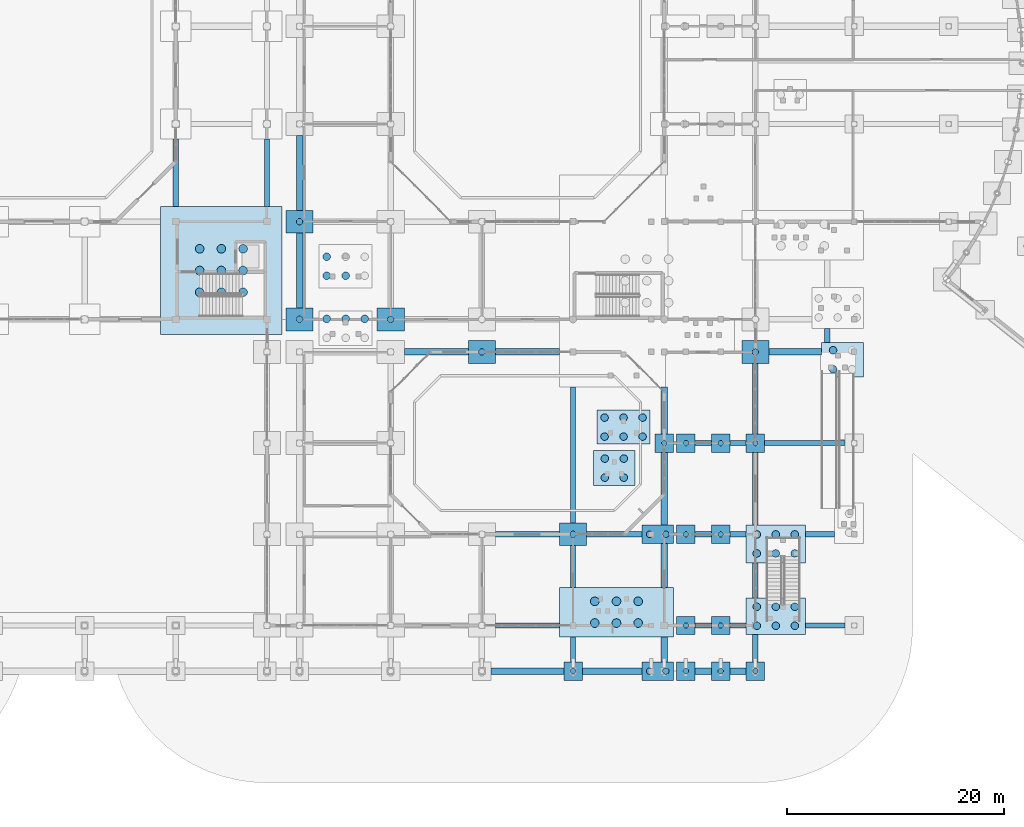
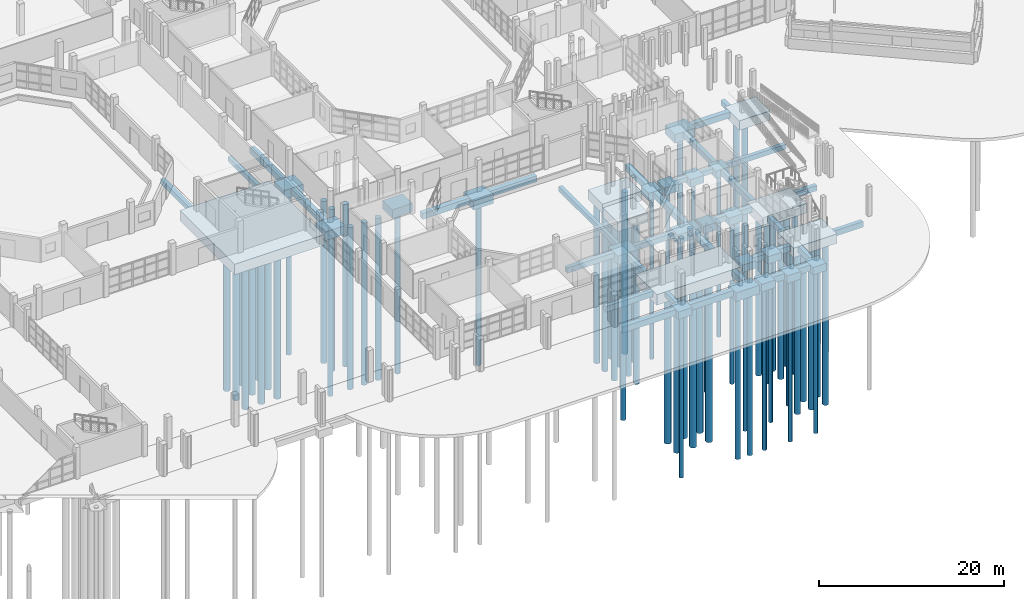
# One storey, part 3 of 88: 67 piles, 62 footings.
"""IFC4 building model written with IfcOpenShell, lengths in metres."""

from ifc_helpers import new_model, si_unit, direction, frame, origin, origin_2d, place, context, subcontext, project, spatial, rectangle, circle, extrude, material, material_profile, profile_set, type_object, element, save


model = new_model("IFC4")

# Units and contexts
model_context = context("Model", 3, precision=1e-05, world=origin(), true_north=direction((0.0, 1.0)))
body_context = subcontext(model_context, "Body", "Model", "MODEL_VIEW")
ifc_project = project(units=[si_unit("LENGTHUNIT", "METRE"), si_unit("AREAUNIT", "SQUARE_METRE"), si_unit("VOLUMEUNIT", "CUBIC_METRE"), si_unit("PLANEANGLEUNIT", "RADIAN"), si_unit("MASSUNIT", "GRAM", prefix="KILO")], contexts=[model_context])

# Site, building, storey
site_placement = place(None, origin())
site = spatial("IfcSite", under=ifc_project, at=site_placement, CompositionType="ELEMENT")
building_placement = place(site_placement, origin())
building = spatial("IfcBuilding", under=site, at=building_placement, Name="Vanh Quang Courtyard School", CompositionType="ELEMENT")
storey_placement = place(building_placement, origin())
storey = spatial("IfcBuildingStorey", under=building, at=storey_placement, Name="L00", CompositionType="ELEMENT", Elevation=0.0)

# Footings
ifc_material_1 = material(Name="Concrete C35/45", Category="concrete")
footing_type_1 = type_object("IfcFootingType", Name="FTG-GB-450x650", PredefinedType="FOOTING_BEAM", material=ifc_material_1)
for number, where, z_axis, x_axis, name in (
    (1, (114.60009765625, 21.0, -1.050048828125), (0.0, 0.0, 1.0), (1.0, 0.0, 0.0), "Footing GB-04 (L00)"),
    (2, (117.800048828125, 21.0, -1.050048828125), (0.0, 0.0, 1.0), (1.0, 0.0, 0.0), "Footing GB-04 (L00)"),
):
    element("IfcFooting", number, at=place(storey_placement, frame(where, z_axis=z_axis, x_axis=x_axis)), inside=storey, type_object=footing_type_1, Name=name, PredefinedType="FOOTING_BEAM", context=body_context, shape_type="SweptSolid", body=[
        extrude(rectangle(XDim=1.5, YDim=0.449951171875, at=origin_2d()), origin(), (0.0, 0.0, 1.0), 0.64990234375),
    ])
footing_1_placement = place(storey_placement, frame((123.949951171875, 21.0, -1.050048828125), z_axis=(0.0, 0.0, 1.0), x_axis=(1.0, 0.0, 0.0)))
element("IfcFooting", 3, at=footing_1_placement, inside=storey, type_object=footing_type_1, Name="Footing GB-04 (L00)", PredefinedType="FOOTING_BEAM", context=body_context, shape_type="SweptSolid", body=[
    extrude(rectangle(XDim=7.39990234375, YDim=0.449951171875, at=origin_2d()), origin(), (0.0, 0.0, 1.0), 0.64990234375),
])
footing_2_placement = place(storey_placement, frame((74.39990234375, 45.89990234375, -1.050048828125), z_axis=(0.0, 0.0, 1.0), x_axis=(0.0, 1.0, 0.0)))
element("IfcFooting", 4, at=footing_2_placement, inside=storey, type_object=footing_type_1, Name="Footing GB-04 (L00)", PredefinedType="FOOTING_BEAM", context=body_context, shape_type="SweptSolid", body=[
    extrude(rectangle(XDim=6.199951171875, YDim=0.449951171875, at=origin_2d()), origin(), (0.0, 0.0, 1.0), 0.64990234375),
])
footing_3_placement = place(storey_placement, frame((102.60009765625, 2.0, -1.050048828125), z_axis=(0.0, 0.0, 1.0), x_axis=(0.0, 1.0, 0.0)))
element("IfcFooting", 5, at=footing_3_placement, inside=storey, type_object=footing_type_1, Name="Footing GB-04 (L00)", PredefinedType="FOOTING_BEAM", context=body_context, shape_type="SweptSolid", body=[
    extrude(rectangle(XDim=2.300048828125, YDim=0.449951171875, at=origin_2d()), origin(), (0.0, 0.0, 1.0), 0.64990234375),
])
footing_4_placement = place(storey_placement, frame((102.60009765625, 9.625, -1.050048828125), z_axis=(0.0, 0.0, 1.0), x_axis=(0.0, 1.0, 0.0)))
element("IfcFooting", 6, at=footing_4_placement, inside=storey, type_object=footing_type_1, Name="Footing GB-04 (L00)", PredefinedType="FOOTING_BEAM", context=body_context, shape_type="SweptSolid", body=[
    extrude(rectangle(XDim=3.85009765625, YDim=0.449951171875, at=origin_2d()), origin(), (0.0, 0.0, 1.0), 0.64990234375),
])
footing_5_placement = place(storey_placement, frame((102.60009765625, 19.919921875, -1.050048828125), z_axis=(0.0, 0.0, 1.0), x_axis=(0.0, 1.0, 0.0)))
element("IfcFooting", 7, at=footing_5_placement, inside=storey, type_object=footing_type_1, Name="Footing GB-04 (L00)", PredefinedType="FOOTING_BEAM", context=body_context, shape_type="SweptSolid", body=[
    extrude(rectangle(XDim=12.5400390625, YDim=0.449951171875, at=origin_2d()), origin(), (0.0, 0.0, 1.0), 0.64990234375),
])
footing_type_2 = type_object("IfcFootingType", Name="FTG-GB-500x700", PredefinedType="FOOTING_BEAM", material=ifc_material_1)
footing_6_placement = place(storey_placement, frame((98.39990234375, 12.60009765625, -1.10009765625), z_axis=(0.0, 0.0, 1.0), x_axis=(1.0, 0.0, 0.0)))
element("IfcFooting", 8, at=footing_6_placement, inside=storey, type_object=footing_type_2, Name="Footing GB-03 (L00)", PredefinedType="FOOTING_BEAM", context=body_context, shape_type="SweptSolid", body=[
    extrude(rectangle(XDim=5.89990234375, YDim=0.5, at=origin_2d()), origin(), (0.0, 0.0, 1.0), 0.699951171875),
])
footing_7_placement = place(storey_placement, frame((106.39990234375, 12.60009765625, -1.10009765625), z_axis=(0.0, 0.0, 1.0), x_axis=(1.0, 0.0, 0.0)))
element("IfcFooting", 9, at=footing_7_placement, inside=storey, type_object=footing_type_2, Name="Footing GB-03 (L00)", PredefinedType="FOOTING_BEAM", context=body_context, shape_type="SweptSolid", body=[
    extrude(rectangle(XDim=5.10009765625, YDim=0.5, at=origin_2d()), origin(), (0.0, 0.0, 1.0), 0.699951171875),
])
for number, where, z_axis, x_axis, name in (
    (10, (114.60009765625, 12.60009765625, -1.10009765625), (0.0, 0.0, 1.0), (1.0, 0.0, 0.0), "Footing GB-03 (L00)"),
    (11, (117.800048828125, 12.60009765625, -1.10009765625), (0.0, 0.0, 1.0), (1.0, 0.0, 0.0), "Footing GB-03 (L00)"),
):
    element("IfcFooting", number, at=place(storey_placement, frame(where, z_axis=z_axis, x_axis=x_axis)), inside=storey, type_object=footing_type_2, Name=name, PredefinedType="FOOTING_BEAM", context=body_context, shape_type="SweptSolid", body=[
        extrude(rectangle(XDim=1.5, YDim=0.5, at=origin_2d()), origin(), (0.0, 0.0, 1.0), 0.699951171875),
    ])
footing_8_placement = place(storey_placement, frame((125.35009765625, 12.60009765625, -1.10009765625), z_axis=(0.0, 0.0, 1.0), x_axis=(1.0, 0.0, 0.0)))
element("IfcFooting", 12, at=footing_8_placement, inside=storey, type_object=footing_type_2, Name="Footing GB-03 (L00)", PredefinedType="FOOTING_BEAM", context=body_context, shape_type="SweptSolid", body=[
    extrude(rectangle(XDim=2.699951171875, YDim=0.5, at=origin_2d()), origin(), (0.0, 0.0, 1.0), 0.699951171875),
])
footing_9_placement = place(storey_placement, frame((66.0, 45.89990234375, -1.10009765625), z_axis=(0.0, 0.0, 1.0), x_axis=(0.0, 1.0, 0.0)))
element("IfcFooting", 13, at=footing_9_placement, inside=storey, type_object=footing_type_2, Name="Footing GB-03 (L00)", PredefinedType="FOOTING_BEAM", context=body_context, shape_type="SweptSolid", body=[
    extrude(rectangle(XDim=6.199951171875, YDim=0.5, at=origin_2d()), origin(), (0.0, 0.0, 1.0), 0.699951171875),
])
footing_10_placement = place(storey_placement, frame((126.0, 30.89990234375, -1.10009765625), z_axis=(0.0, 0.0, 1.0), x_axis=(0.0, 1.0, 0.0)))
element("IfcFooting", 14, at=footing_10_placement, inside=storey, type_object=footing_type_2, Name="Footing GB-03 (L00)", PredefinedType="FOOTING_BEAM", context=body_context, shape_type="SweptSolid", body=[
    extrude(rectangle(XDim=1.300048828125, YDim=0.5, at=origin_2d()), origin(), (0.0, 0.0, 1.0), 0.699951171875),
])
footing_type_3 = type_object("IfcFootingType", Name="FTG-GB-500x750", PredefinedType="FOOTING_BEAM", material=ifc_material_1)
footing_11_placement = place(storey_placement, frame((98.39990234375, 4.199951171875, -1.14990234375), z_axis=(0.0, 0.0, 1.0), x_axis=(1.0, 0.0, 0.0)))
element("IfcFooting", 15, at=footing_11_placement, inside=storey, type_object=footing_type_3, Name="Footing GB-02 (L00)", PredefinedType="FOOTING_BEAM", context=body_context, shape_type="SweptSolid", body=[
    extrude(rectangle(XDim=5.89990234375, YDim=0.5, at=origin_2d()), origin(), (0.0, 0.0, 1.0), 0.75),
])
for number, where, z_axis, x_axis, name in (
    (16, (114.60009765625, 4.199951171875, -1.14990234375), (0.0, 0.0, 1.0), (1.0, 0.0, 0.0), "Footing GB-02 (L00)"),
    (17, (117.800048828125, 4.199951171875, -1.14990234375), (0.0, 0.0, 1.0), (1.0, 0.0, 0.0), "Footing GB-02 (L00)"),
):
    element("IfcFooting", number, at=place(storey_placement, frame(where, z_axis=z_axis, x_axis=x_axis)), inside=storey, type_object=footing_type_3, Name=name, PredefinedType="FOOTING_BEAM", context=body_context, shape_type="SweptSolid", body=[
        extrude(rectangle(XDim=1.5, YDim=0.5, at=origin_2d()), origin(), (0.0, 0.0, 1.0), 0.75),
    ])
footing_12_placement = place(storey_placement, frame((125.824951171875, 4.199951171875, -1.14990234375), z_axis=(0.0, 0.0, 1.0), x_axis=(1.0, 0.0, 0.0)))
element("IfcFooting", 18, at=footing_12_placement, inside=storey, type_object=footing_type_3, Name="Footing GB-02 (L00)", PredefinedType="FOOTING_BEAM", context=body_context, shape_type="SweptSolid", body=[
    extrude(rectangle(XDim=3.64990234375, YDim=0.5, at=origin_2d()), origin(), (0.0, 0.0, 1.0), 0.75),
])
footing_13_placement = place(storey_placement, frame((119.39990234375, 2.10009765625, -1.14990234375), z_axis=(0.0, 0.0, 1.0), x_axis=(0.0, 1.0, 0.0)))
element("IfcFooting", 19, at=footing_13_placement, inside=storey, type_object=footing_type_3, Name="Footing GB-02 (L00)", PredefinedType="FOOTING_BEAM", context=body_context, shape_type="SweptSolid", body=[
    extrude(rectangle(XDim=2.5, YDim=0.5, at=origin_2d()), origin(), (0.0, 0.0, 1.0), 0.75),
])
footing_14_placement = place(storey_placement, frame((119.39990234375, 8.360107421875, -1.14990234375), z_axis=(0.0, 0.0, 1.0), x_axis=(0.0, 1.0, 0.0)))
element("IfcFooting", 20, at=footing_14_placement, inside=storey, type_object=footing_type_3, Name="Footing GB-02 (L00)", PredefinedType="FOOTING_BEAM", context=body_context, shape_type="SweptSolid", body=[
    extrude(rectangle(XDim=3.219970703125, YDim=0.5, at=origin_2d()), origin(), (0.0, 0.0, 1.0), 0.75),
])
footing_15_placement = place(storey_placement, frame((119.39990234375, 16.800048828125, -1.14990234375), z_axis=(0.0, 0.0, 1.0), x_axis=(0.0, 1.0, 0.0)))
element("IfcFooting", 21, at=footing_15_placement, inside=storey, type_object=footing_type_3, Name="Footing GB-02 (L00)", PredefinedType="FOOTING_BEAM", context=body_context, shape_type="SweptSolid", body=[
    extrude(rectangle(XDim=6.699951171875, YDim=0.5, at=origin_2d()), origin(), (0.0, 0.0, 1.0), 0.75),
])
footing_16_placement = place(storey_placement, frame((119.39990234375, 25.10009765625, -1.14990234375), z_axis=(0.0, 0.0, 1.0), x_axis=(0.0, 1.0, 0.0)))
element("IfcFooting", 22, at=footing_16_placement, inside=storey, type_object=footing_type_3, Name="Footing GB-02 (L00)", PredefinedType="FOOTING_BEAM", context=body_context, shape_type="SweptSolid", body=[
    extrude(rectangle(XDim=6.5, YDim=0.5, at=origin_2d()), origin(), (0.0, 0.0, 1.0), 0.75),
])
footing_type_4 = type_object("IfcFootingType", Name="FTG-GB-600x800", PredefinedType="FOOTING_BEAM", material=ifc_material_1)
footing_17_placement = place(storey_placement, frame((98.39990234375, 0.0, -1.2001953125), z_axis=(0.0, 0.0, 1.0), x_axis=(1.0, 0.0, 0.0)))
element("IfcFooting", 23, at=footing_17_placement, inside=storey, type_object=footing_type_4, Name="Footing GB-01 (L00)", PredefinedType="FOOTING_BEAM", context=body_context, shape_type="SweptSolid", body=[
    extrude(rectangle(XDim=6.699951171875, YDim=0.60009765625, at=origin_2d()), origin(), (0.0, 0.0, 1.0), 0.800048828125),
])
footing_18_placement = place(storey_placement, frame((106.199951171875, 0.0, -1.2001953125), z_axis=(0.0, 0.0, 1.0), x_axis=(1.0, 0.0, 0.0)))
element("IfcFooting", 24, at=footing_18_placement, inside=storey, type_object=footing_type_4, Name="Footing GB-01 (L00)", PredefinedType="FOOTING_BEAM", context=body_context, shape_type="SweptSolid", body=[
    extrude(rectangle(XDim=5.5, YDim=0.60009765625, at=origin_2d()), origin(), (0.0, 0.0, 1.0), 0.800048828125),
])
for number, where, z_axis, x_axis, name in (
    (25, (114.60009765625, 0.0, -1.2001953125), (0.0, 0.0, 1.0), (1.0, 0.0, 0.0), "Footing GB-01 (L00)"),
    (26, (117.800048828125, 0.0, -1.2001953125), (0.0, 0.0, 1.0), (1.0, 0.0, 0.0), "Footing GB-01 (L00)"),
):
    element("IfcFooting", number, at=place(storey_placement, frame(where, z_axis=z_axis, x_axis=x_axis)), inside=storey, type_object=footing_type_4, Name=name, PredefinedType="FOOTING_BEAM", context=body_context, shape_type="SweptSolid", body=[
        extrude(rectangle(XDim=1.5, YDim=0.60009765625, at=origin_2d()), origin(), (0.0, 0.0, 1.0), 0.800048828125),
    ])
for number, where, z_axis, x_axis, name in (
    (27, (90.0, 29.39990234375, -1.2001953125), (0.0, 0.0, 1.0), (1.0, 0.0, 0.0), "Footing GB-01 (L00)"),
    (28, (98.39990234375, 29.39990234375, -1.2001953125), (0.0, 0.0, 1.0), (1.0, 0.0, 0.0), "Footing GB-01 (L00)"),
):
    element("IfcFooting", number, at=place(storey_placement, frame(where, z_axis=z_axis, x_axis=x_axis)), inside=storey, type_object=footing_type_4, Name=name, PredefinedType="FOOTING_BEAM", context=body_context, shape_type="SweptSolid", body=[
        extrude(rectangle(XDim=5.89990234375, YDim=0.60009765625, at=origin_2d()), origin(), (0.0, 0.0, 1.0), 0.800048828125),
    ])
footing_19_placement = place(storey_placement, frame((123.074951171875, 29.39990234375, -1.2001953125), z_axis=(0.0, 0.0, 1.0), x_axis=(1.0, 0.0, 0.0)))
element("IfcFooting", 29, at=footing_19_placement, inside=storey, type_object=footing_type_4, Name="Footing GB-01 (L00)", PredefinedType="FOOTING_BEAM", context=body_context, shape_type="SweptSolid", body=[
    extrude(rectangle(XDim=4.85009765625, YDim=0.60009765625, at=origin_2d()), origin(), (0.0, 0.0, 1.0), 0.800048828125),
])
for number, where, z_axis, x_axis, name in (
    (30, (77.39990234375, 36.89990234375, -1.2001953125), (0.0, 0.0, 1.0), (0.0, 1.0, 0.0), "Footing GB-01 (L00)"),
    (31, (77.39990234375, 45.89990234375, -1.2001953125), (0.0, 0.0, 1.0), (0.0, 1.0, 0.0), "Footing GB-01 (L00)"),
):
    element("IfcFooting", number, at=place(storey_placement, frame(where, z_axis=z_axis, x_axis=x_axis)), inside=storey, type_object=footing_type_4, Name=name, PredefinedType="FOOTING_BEAM", context=body_context, shape_type="SweptSolid", body=[
        extrude(rectangle(XDim=6.89990234375, YDim=0.60009765625, at=origin_2d()), origin(), (0.0, 0.0, 1.0), 0.800048828125),
    ])
footing_20_placement = place(storey_placement, frame((111.0, 2.0, -1.2001953125), z_axis=(0.0, 0.0, 1.0), x_axis=(0.0, 1.0, 0.0)))
element("IfcFooting", 32, at=footing_20_placement, inside=storey, type_object=footing_type_4, Name="Footing GB-01 (L00)", PredefinedType="FOOTING_BEAM", context=body_context, shape_type="SweptSolid", body=[
    extrude(rectangle(XDim=2.300048828125, YDim=0.60009765625, at=origin_2d()), origin(), (0.0, 0.0, 1.0), 0.800048828125),
])
footing_21_placement = place(storey_placement, frame((111.0, 9.72509765625, -1.2001953125), z_axis=(0.0, 0.0, 1.0), x_axis=(0.0, 1.0, 0.0)))
element("IfcFooting", 33, at=footing_21_placement, inside=storey, type_object=footing_type_4, Name="Footing GB-01 (L00)", PredefinedType="FOOTING_BEAM", context=body_context, shape_type="SweptSolid", body=[
    extrude(rectangle(XDim=4.050048828125, YDim=0.60009765625, at=origin_2d()), origin(), (0.0, 0.0, 1.0), 0.800048828125),
])
footing_22_placement = place(storey_placement, frame((111.0, 16.800048828125, -1.2001953125), z_axis=(0.0, 0.0, 1.0), x_axis=(0.0, 1.0, 0.0)))
element("IfcFooting", 34, at=footing_22_placement, inside=storey, type_object=footing_type_4, Name="Footing GB-01 (L00)", PredefinedType="FOOTING_BEAM", context=body_context, shape_type="SweptSolid", body=[
    extrude(rectangle(XDim=6.699951171875, YDim=0.60009765625, at=origin_2d()), origin(), (0.0, 0.0, 1.0), 0.800048828125),
])
footing_23_placement = place(storey_placement, frame((111.0, 24.02001953125, -1.2001953125), z_axis=(0.0, 0.0, 1.0), x_axis=(0.0, 1.0, 0.0)))
element("IfcFooting", 35, at=footing_23_placement, inside=storey, type_object=footing_type_4, Name="Footing GB-01 (L00)", PredefinedType="FOOTING_BEAM", context=body_context, shape_type="SweptSolid", body=[
    extrude(rectangle(XDim=4.340087890625, YDim=0.60009765625, at=origin_2d()), origin(), (0.0, 0.0, 1.0), 0.800048828125),
])
footing_type_5 = type_object("IfcFootingType", Name="FTG-PC-01", PredefinedType="PILE_CAP", material=ifc_material_1)
for number, where, z_axis, x_axis, name in (
    (36, (102.60009765625, 0.0, -1.39990234375), (0.0, 0.0, 1.0), (1.0, 0.0, 0.0), "Footing PC-01 (L00)"),
    (37, (113.0, 0.0, -1.39990234375), (0.0, 0.0, 1.0), (1.0, 0.0, 0.0), "Footing PC-01 (L00)"),
    (38, (116.199951171875, 0.0, -1.39990234375), (0.0, 0.0, 1.0), (1.0, 0.0, 0.0), "Footing PC-01 (L00)"),
    (39, (119.39990234375, 0.0, -1.39990234375), (0.0, 0.0, 1.0), (1.0, 0.0, 0.0), "Footing PC-01 (L00)"),
    (40, (113.0, 4.199951171875, -1.39990234375), (0.0, 0.0, 1.0), (1.0, 0.0, 0.0), "Footing PC-01 (L00)"),
    (41, (116.199951171875, 4.199951171875, -1.39990234375), (0.0, 0.0, 1.0), (1.0, 0.0, 0.0), "Footing PC-01 (L00)"),
    (42, (113.0, 12.60009765625, -1.39990234375), (0.0, 0.0, 1.0), (1.0, 0.0, 0.0), "Footing PC-01 (L00)"),
    (43, (116.199951171875, 12.60009765625, -1.39990234375), (0.0, 0.0, 1.0), (1.0, 0.0, 0.0), "Footing PC-01 (L00)"),
    (44, (111.0, 21.0, -1.39990234375), (0.0, 0.0, 1.0), (1.0, 0.0, 0.0), "Footing PC-01 (L00)"),
    (45, (113.0, 21.0, -1.39990234375), (0.0, 0.0, 1.0), (1.0, 0.0, 0.0), "Footing PC-01 (L00)"),
    (46, (116.199951171875, 21.0, -1.39990234375), (0.0, 0.0, 1.0), (1.0, 0.0, 0.0), "Footing PC-01 (L00)"),
    (47, (119.39990234375, 21.0, -1.39990234375), (0.0, 0.0, 1.0), (1.0, 0.0, 0.0), "Footing PC-01 (L00)"),
):
    element("IfcFooting", number, at=place(storey_placement, frame(where, z_axis=z_axis, x_axis=x_axis)), inside=storey, type_object=footing_type_5, Name=name, PredefinedType="PILE_CAP", context=body_context, shape_type="SweptSolid", body=[
        extrude(rectangle(XDim=1.699951171875, YDim=1.699951171875, at=origin_2d()), origin(), (0.0, 0.0, 1.0), 1.0),
    ])
footing_type_6 = type_object("IfcFootingType", Name="FTG-PC-02", PredefinedType="PILE_CAP", material=ifc_material_1)
for number, where, z_axis, x_axis, name in (
    (48, (110.39990234375, 0.0, -1.550048828125), (0.0, 0.0, 1.0), (1.0, 0.0, 0.0), "Footing PC-02 (L00)"),
    (49, (110.39990234375, 12.60009765625, -1.550048828125), (0.0, 0.0, 1.0), (1.0, 0.0, 0.0), "Footing PC-02 (L00)"),
):
    element("IfcFooting", number, at=place(storey_placement, frame(where, z_axis=z_axis, x_axis=x_axis)), inside=storey, type_object=footing_type_6, Name=name, PredefinedType="PILE_CAP", context=body_context, shape_type="SweptSolid", body=[
        extrude(rectangle(XDim=2.89990234375, YDim=1.699951171875, at=origin_2d()), origin(), (0.0, 0.0, 1.0), 1.14990234375),
    ])
footing_type_7 = type_object("IfcFootingType", Name="FTG-PC-03", PredefinedType="PILE_CAP", material=ifc_material_1)
for number, where, z_axis, x_axis, name in (
    (50, (102.60009765625, 12.60009765625, -1.550048828125), (0.0, 0.0, 1.0), (1.0, 0.0, 0.0), "Footing PC-03 (L00)"),
    (51, (94.199951171875, 29.39990234375, -1.550048828125), (0.0, 0.0, 1.0), (1.0, 0.0, 0.0), "Footing PC-03 (L00)"),
    (52, (119.39990234375, 29.39990234375, -1.550048828125), (0.0, 0.0, 1.0), (1.0, 0.0, 0.0), "Footing PC-03 (L00)"),
    (53, (77.39990234375, 32.39990234375, -1.550048828125), (0.0, 0.0, 1.0), (1.0, 0.0, 0.0), "Footing PC-03 (L00)"),
    (54, (85.800048828125, 32.39990234375, -1.550048828125), (0.0, 0.0, 1.0), (1.0, 0.0, 0.0), "Footing PC-03 (L00)"),
    (55, (77.39990234375, 41.39990234375, -1.550048828125), (0.0, 0.0, 1.0), (1.0, 0.0, 0.0), "Footing PC-03 (L00)"),
):
    element("IfcFooting", number, at=place(storey_placement, frame(where, z_axis=z_axis, x_axis=x_axis)), inside=storey, type_object=footing_type_7, Name=name, PredefinedType="PILE_CAP", context=body_context, shape_type="SweptSolid", body=[
        extrude(rectangle(XDim=2.5, YDim=2.10009765625, at=origin_2d()), origin(), (0.0, 0.0, 1.0), 1.14990234375),
    ])
footing_type_8 = type_object("IfcFootingType", Name="FTG-PC-05", PredefinedType="PILE_CAP", material=ifc_material_1)
footing_24_placement = place(storey_placement, frame((106.60009765625, 5.425048828125, -1.800048828125), z_axis=(0.0, 0.0, 1.0), x_axis=(1.0, 0.0, 0.0)))
element("IfcFooting", 56, at=footing_24_placement, inside=storey, type_object=footing_type_8, Name="Footing PC-05 (L00)", PredefinedType="PILE_CAP", context=body_context, shape_type="SweptSolid", body=[
    extrude(rectangle(XDim=10.5, YDim=4.550048828125, at=origin_2d()), origin(), (0.0, 0.0, 1.0), 1.39990234375),
])
footing_type_9 = type_object("IfcFootingType", Name="FTG-PC-06", PredefinedType="PILE_CAP", material=ifc_material_1)
footing_25_placement = place(storey_placement, frame((121.27490234375, 5.050048828125, -1.64990234375), z_axis=(0.0, 0.0, 1.0), x_axis=(1.0, 0.0, 0.0)))
element("IfcFooting", 57, at=footing_25_placement, inside=storey, type_object=footing_type_9, Name="Footing PC-06 (L00)", PredefinedType="PILE_CAP", context=body_context, shape_type="SweptSolid", body=[
    extrude(rectangle(XDim=5.449951171875, YDim=3.39990234375, at=origin_2d()), origin(), (0.0, 0.0, 1.0), 1.25),
])
footing_type_10 = type_object("IfcFootingType", Name="FTG-PC-07", PredefinedType="PILE_CAP", material=ifc_material_1)
footing_26_placement = place(storey_placement, frame((121.27490234375, 11.7099609375, -1.64990234375), z_axis=(0.0, 0.0, 1.0), x_axis=(1.0, 0.0, 0.0)))
element("IfcFooting", 58, at=footing_26_placement, inside=storey, type_object=footing_type_10, Name="Footing PC-07 (L00)", PredefinedType="PILE_CAP", context=body_context, shape_type="SweptSolid", body=[
    extrude(rectangle(XDim=5.449951171875, YDim=3.47998046875, at=origin_2d()), origin(), (0.0, 0.0, 1.0), 1.25),
])
footing_type_11 = type_object("IfcFootingType", Name="FTG-PC-09", PredefinedType="PILE_CAP", material=ifc_material_1)
footing_27_placement = place(storey_placement, frame((106.39990234375, 18.699951171875, -1.64990234375), z_axis=(0.0, 0.0, 1.0), x_axis=(1.0, 0.0, 0.0)))
element("IfcFooting", 59, at=footing_27_placement, inside=storey, type_object=footing_type_11, Name="Footing PC-09 (L00)", PredefinedType="PILE_CAP", context=body_context, shape_type="SweptSolid", body=[
    extrude(rectangle(XDim=3.800048828125, YDim=3.199951171875, at=origin_2d()), origin(), (0.0, 0.0, 1.0), 1.25),
])
footing_type_12 = type_object("IfcFootingType", Name="FTG-PC-10", PredefinedType="PILE_CAP", material=ifc_material_1)
footing_28_placement = place(storey_placement, frame((107.25, 22.47509765625, -1.64990234375), z_axis=(0.0, 0.0, 1.0), x_axis=(1.0, 0.0, 0.0)))
element("IfcFooting", 60, at=footing_28_placement, inside=storey, type_object=footing_type_12, Name="Footing PC-10 (L00)", PredefinedType="PILE_CAP", context=body_context, shape_type="SweptSolid", body=[
    extrude(rectangle(XDim=4.89990234375, YDim=3.14990234375, at=origin_2d()), origin(), (0.0, 0.0, 1.0), 1.25),
])
footing_type_13 = type_object("IfcFootingType", Name="FTG-PC-12", PredefinedType="PILE_CAP", material=ifc_material_1)
footing_29_placement = place(storey_placement, frame((127.425048828125, 28.675048828125, -1.64990234375), z_axis=(0.0, 0.0, 1.0), x_axis=(1.0, 0.0, 0.0)))
element("IfcFooting", 61, at=footing_29_placement, inside=storey, type_object=footing_type_13, Name="Footing PC-12 (L00)", PredefinedType="PILE_CAP", context=body_context, shape_type="SweptSolid", body=[
    extrude(rectangle(XDim=3.85009765625, YDim=3.14990234375, at=origin_2d()), origin(), (0.0, 0.0, 1.0), 1.25),
])
footing_type_14 = type_object("IfcFootingType", Name="FTG-PC-15", PredefinedType="PILE_CAP", material=ifc_material_1)
footing_30_placement = place(storey_placement, frame((70.199951171875, 36.89990234375, -1.800048828125), z_axis=(0.0, 0.0, 1.0), x_axis=(1.0, 0.0, 0.0)))
element("IfcFooting", 62, at=footing_30_placement, inside=storey, type_object=footing_type_14, Name="Footing PC-15 (L00)", PredefinedType="PILE_CAP", context=body_context, shape_type="SweptSolid", body=[
    extrude(rectangle(XDim=11.199951171875, YDim=11.800048828125, at=origin_2d()), origin(), (0.0, 0.0, 1.0), 1.39990234375),
])

# Piles
ifc_material_2 = material(Name="Concrete C30/37", Category="concrete")
ifc_material_profile_1 = material_profile(ifc_material_2, circle(Radius=0.25, at=origin_2d()), Name="PILE D500")
ifc_profile_set_1 = profile_set([ifc_material_profile_1], Name="Concrete C30/37")
pile_type_1 = type_object("IfcPileType", Name="PILE-BORED-500", PredefinedType="BORED", material=ifc_profile_set_1)
for number, where, z_axis, x_axis, name in (
    (63, (102.60009765625, 0.0, -1.300048828125), (0.0, 0.0, -1.0), (1.0, 0.0, 0.0), "Bored Pile BP-01 (L00)"),
    (64, (113.0, 0.0, -1.300048828125), (0.0, 0.0, -1.0), (1.0, 0.0, 0.0), "Bored Pile BP-01 (L00)"),
    (65, (116.199951171875, 0.0, -1.300048828125), (0.0, 0.0, -1.0), (1.0, 0.0, 0.0), "Bored Pile BP-01 (L00)"),
    (66, (119.39990234375, 0.0, -1.300048828125), (0.0, 0.0, -1.0), (1.0, 0.0, 0.0), "Bored Pile BP-01 (L00)"),
    (67, (113.0, 4.199951171875, -1.300048828125), (0.0, 0.0, -1.0), (1.0, 0.0, 0.0), "Bored Pile BP-01 (L00)"),
    (68, (116.199951171875, 4.199951171875, -1.300048828125), (0.0, 0.0, -1.0), (1.0, 0.0, 0.0), "Bored Pile BP-01 (L00)"),
    (69, (113.0, 12.60009765625, -1.300048828125), (0.0, 0.0, -1.0), (1.0, 0.0, 0.0), "Bored Pile BP-01 (L00)"),
    (70, (116.199951171875, 12.60009765625, -1.300048828125), (0.0, 0.0, -1.0), (1.0, 0.0, 0.0), "Bored Pile BP-01 (L00)"),
    (71, (111.0, 21.0, -1.300048828125), (0.0, 0.0, -1.0), (1.0, 0.0, 0.0), "Bored Pile BP-01 (L00)"),
    (72, (113.0, 21.0, -1.300048828125), (0.0, 0.0, -1.0), (1.0, 0.0, 0.0), "Bored Pile BP-01 (L00)"),
    (73, (116.199951171875, 21.0, -1.300048828125), (0.0, 0.0, -1.0), (1.0, 0.0, 0.0), "Bored Pile BP-01 (L00)"),
    (74, (119.39990234375, 21.0, -1.300048828125), (0.0, 0.0, -1.0), (1.0, 0.0, 0.0), "Bored Pile BP-01 (L00)"),
):
    element("IfcPile", number, at=place(storey_placement, frame(where, z_axis=z_axis, x_axis=x_axis)), inside=storey, type_object=pile_type_1, Name=name, PredefinedType="BORED", context=body_context, shape_type="SweptSolid", body=[
        extrude(circle(Radius=0.25, at=origin_2d()), origin(), (0.0, 0.0, 1.0), 21.699951171875),
    ])
ifc_material_profile_2 = material_profile(ifc_material_2, circle(Radius=0.300048828125, at=origin_2d()), Name="PILE D600")
ifc_profile_set_2 = profile_set([ifc_material_profile_2], Name="Concrete C30/37")
pile_type_2 = type_object("IfcPileType", Name="PILE-BORED-600", PredefinedType="BORED", material=ifc_profile_set_2)
for number, where, z_axis, x_axis, name in (
    (75, (109.64990234375, 0.0, -1.449951171875), (0.0, 0.0, -1.0), (1.0, 0.0, 0.0), "Bored Pile BP-02 (L00)"),
    (76, (111.14990234375, 0.0, -1.449951171875), (0.0, 0.0, -1.0), (1.0, 0.0, 0.0), "Bored Pile BP-02 (L00)"),
    (77, (102.60009765625, 12.60009765625, -1.449951171875), (0.0, 0.0, -1.0), (1.0, 0.0, 0.0), "Bored Pile BP-02 (L00)"),
    (78, (109.64990234375, 12.60009765625, -1.449951171875), (0.0, 0.0, -1.0), (1.0, 0.0, 0.0), "Bored Pile BP-02 (L00)"),
    (79, (111.14990234375, 12.60009765625, -1.449951171875), (0.0, 0.0, -1.0), (1.0, 0.0, 0.0), "Bored Pile BP-02 (L00)"),
    (80, (94.199951171875, 29.39990234375, -1.449951171875), (0.0, 0.0, -1.0), (1.0, 0.0, 0.0), "Bored Pile BP-02 (L00)"),
    (81, (119.39990234375, 29.39990234375, -1.449951171875), (0.0, 0.0, -1.0), (1.0, 0.0, 0.0), "Bored Pile BP-02 (L00)"),
    (82, (77.39990234375, 32.39990234375, -1.449951171875), (0.0, 0.0, -1.0), (1.0, 0.0, 0.0), "Bored Pile BP-02 (L00)"),
    (83, (85.800048828125, 32.39990234375, -1.449951171875), (0.0, 0.0, -1.0), (1.0, 0.0, 0.0), "Bored Pile BP-02 (L00)"),
    (84, (77.39990234375, 41.39990234375, -1.449951171875), (0.0, 0.0, -1.0), (1.0, 0.0, 0.0), "Bored Pile BP-02 (L00)"),
):
    element("IfcPile", number, at=place(storey_placement, frame(where, z_axis=z_axis, x_axis=x_axis)), inside=storey, type_object=pile_type_2, Name=name, PredefinedType="BORED", context=body_context, shape_type="SweptSolid", body=[
        extrude(circle(Radius=0.300048828125, at=origin_2d()), origin(), (0.0, 0.0, 1.0), 21.550048828125),
    ])
ifc_material_profile_3 = material_profile(ifc_material_2, circle(Radius=0.35009765625, at=origin_2d()), Name="PILE D700")
ifc_profile_set_3 = profile_set([ifc_material_profile_3], Name="Concrete C30/37")
pile_type_3 = type_object("IfcPileType", Name="PILE-BORED-700", PredefinedType="BORED", material=ifc_profile_set_3)
for number, where, z_axis, x_axis, name in (
    (85, (119.52490234375, 4.175048828125, -1.550048828125), (0.0, 0.0, -1.0), (1.0, 0.0, 0.0), "Bored Pile BP-03 (L00)"),
    (86, (119.52490234375, 5.925048828125, -1.550048828125), (0.0, 0.0, -1.0), (1.0, 0.0, 0.0), "Bored Pile BP-03 (L00)"),
    (87, (121.27490234375, 4.175048828125, -1.550048828125), (0.0, 0.0, -1.0), (1.0, 0.0, 0.0), "Bored Pile BP-03 (L00)"),
    (88, (121.27490234375, 5.925048828125, -1.550048828125), (0.0, 0.0, -1.0), (1.0, 0.0, 0.0), "Bored Pile BP-03 (L00)"),
    (89, (123.02490234375, 4.175048828125, -1.550048828125), (0.0, 0.0, -1.0), (1.0, 0.0, 0.0), "Bored Pile BP-03 (L00)"),
    (90, (123.02490234375, 5.925048828125, -1.550048828125), (0.0, 0.0, -1.0), (1.0, 0.0, 0.0), "Bored Pile BP-03 (L00)"),
    (91, (119.52490234375, 10.8349609375, -1.550048828125), (0.0, 0.0, -1.0), (1.0, 0.0, 0.0), "Bored Pile BP-03 (L00)"),
    (92, (119.52490234375, 12.5849609375, -1.550048828125), (0.0, 0.0, -1.0), (1.0, 0.0, 0.0), "Bored Pile BP-03 (L00)"),
    (93, (121.27490234375, 10.8349609375, -1.550048828125), (0.0, 0.0, -1.0), (1.0, 0.0, 0.0), "Bored Pile BP-03 (L00)"),
    (94, (121.27490234375, 12.5849609375, -1.550048828125), (0.0, 0.0, -1.0), (1.0, 0.0, 0.0), "Bored Pile BP-03 (L00)"),
    (95, (123.02490234375, 10.8349609375, -1.550048828125), (0.0, 0.0, -1.0), (1.0, 0.0, 0.0), "Bored Pile BP-03 (L00)"),
    (96, (123.02490234375, 12.5849609375, -1.550048828125), (0.0, 0.0, -1.0), (1.0, 0.0, 0.0), "Bored Pile BP-03 (L00)"),
    (97, (105.52490234375, 17.824951171875, -1.550048828125), (0.0, 0.0, -1.0), (1.0, 0.0, 0.0), "Bored Pile BP-03 (L00)"),
    (98, (105.52490234375, 19.574951171875, -1.550048828125), (0.0, 0.0, -1.0), (1.0, 0.0, 0.0), "Bored Pile BP-03 (L00)"),
    (99, (107.27490234375, 17.824951171875, -1.550048828125), (0.0, 0.0, -1.0), (1.0, 0.0, 0.0), "Bored Pile BP-03 (L00)"),
    (100, (107.27490234375, 19.574951171875, -1.550048828125), (0.0, 0.0, -1.0), (1.0, 0.0, 0.0), "Bored Pile BP-03 (L00)"),
    (101, (105.5, 21.60009765625, -1.550048828125), (0.0, 0.0, -1.0), (1.0, 0.0, 0.0), "Bored Pile BP-03 (L00)"),
    (102, (105.5, 23.35009765625, -1.550048828125), (0.0, 0.0, -1.0), (1.0, 0.0, 0.0), "Bored Pile BP-03 (L00)"),
    (103, (107.25, 21.60009765625, -1.550048828125), (0.0, 0.0, -1.0), (1.0, 0.0, 0.0), "Bored Pile BP-03 (L00)"),
    (104, (107.25, 23.35009765625, -1.550048828125), (0.0, 0.0, -1.0), (1.0, 0.0, 0.0), "Bored Pile BP-03 (L00)"),
    (105, (109.0, 21.60009765625, -1.550048828125), (0.0, 0.0, -1.0), (1.0, 0.0, 0.0), "Bored Pile BP-03 (L00)"),
    (106, (109.0, 23.35009765625, -1.550048828125), (0.0, 0.0, -1.0), (1.0, 0.0, 0.0), "Bored Pile BP-03 (L00)"),
    (107, (126.550048828125, 27.800048828125, -1.550048828125), (0.0, 0.0, -1.0), (1.0, 0.0, 0.0), "Bored Pile BP-03 (L00)"),
    (108, (126.550048828125, 29.550048828125, -1.550048828125), (0.0, 0.0, -1.0), (1.0, 0.0, 0.0), "Bored Pile BP-03 (L00)"),
    (109, (79.89990234375, 32.449951171875, -1.550048828125), (0.0, 0.0, -1.0), (1.0, 0.0, 0.0), "Bored Pile BP-03 (L00)"),
    (110, (81.64990234375, 32.449951171875, -1.550048828125), (0.0, 0.0, -1.0), (1.0, 0.0, 0.0), "Bored Pile BP-03 (L00)"),
    (111, (83.39990234375, 32.449951171875, -1.550048828125), (0.0, 0.0, -1.0), (1.0, 0.0, 0.0), "Bored Pile BP-03 (L00)"),
    (112, (79.89990234375, 36.419921875, -1.550048828125), (0.0, 0.0, -1.0), (1.0, 0.0, 0.0), "Bored Pile BP-03 (L00)"),
    (113, (79.89990234375, 38.169921875, -1.550048828125), (0.0, 0.0, -1.0), (1.0, 0.0, 0.0), "Bored Pile BP-03 (L00)"),
    (114, (81.64990234375, 36.419921875, -1.550048828125), (0.0, 0.0, -1.0), (1.0, 0.0, 0.0), "Bored Pile BP-03 (L00)"),
):
    element("IfcPile", number, at=place(storey_placement, frame(where, z_axis=z_axis, x_axis=x_axis)), inside=storey, type_object=pile_type_3, Name=name, PredefinedType="BORED", context=body_context, shape_type="SweptSolid", body=[
        extrude(circle(Radius=0.35009765625, at=origin_2d()), origin(), (0.0, 0.0, 1.0), 21.449951171875),
    ])
ifc_material_profile_4 = material_profile(ifc_material_2, circle(Radius=0.39990234375, at=origin_2d()), Name="PILE D800")
ifc_profile_set_4 = profile_set([ifc_material_profile_4], Name="Concrete C30/37")
pile_type_4 = type_object("IfcPileType", Name="PILE-BORED-800", PredefinedType="BORED", material=ifc_profile_set_4)
for number, where, z_axis, x_axis, name in (
    (115, (104.60009765625, 4.425048828125, -1.699951171875), (0.0, 0.0, -1.0), (1.0, 0.0, 0.0), "Bored Pile BP-04 (L00)"),
    (116, (104.60009765625, 6.425048828125, -1.699951171875), (0.0, 0.0, -1.0), (1.0, 0.0, 0.0), "Bored Pile BP-04 (L00)"),
    (117, (106.60009765625, 4.425048828125, -1.699951171875), (0.0, 0.0, -1.0), (1.0, 0.0, 0.0), "Bored Pile BP-04 (L00)"),
    (118, (106.60009765625, 6.425048828125, -1.699951171875), (0.0, 0.0, -1.0), (1.0, 0.0, 0.0), "Bored Pile BP-04 (L00)"),
    (119, (108.60009765625, 4.425048828125, -1.699951171875), (0.0, 0.0, -1.0), (1.0, 0.0, 0.0), "Bored Pile BP-04 (L00)"),
    (120, (108.60009765625, 6.425048828125, -1.699951171875), (0.0, 0.0, -1.0), (1.0, 0.0, 0.0), "Bored Pile BP-04 (L00)"),
    (121, (68.199951171875, 34.89990234375, -1.699951171875), (0.0, 0.0, -1.0), (1.0, 0.0, 0.0), "Bored Pile BP-04 (L00)"),
    (122, (68.199951171875, 36.89990234375, -1.699951171875), (0.0, 0.0, -1.0), (1.0, 0.0, 0.0), "Bored Pile BP-04 (L00)"),
    (123, (68.199951171875, 38.89990234375, -1.699951171875), (0.0, 0.0, -1.0), (1.0, 0.0, 0.0), "Bored Pile BP-04 (L00)"),
    (124, (70.199951171875, 34.89990234375, -1.699951171875), (0.0, 0.0, -1.0), (1.0, 0.0, 0.0), "Bored Pile BP-04 (L00)"),
    (125, (70.199951171875, 36.89990234375, -1.699951171875), (0.0, 0.0, -1.0), (1.0, 0.0, 0.0), "Bored Pile BP-04 (L00)"),
    (126, (70.199951171875, 38.89990234375, -1.699951171875), (0.0, 0.0, -1.0), (1.0, 0.0, 0.0), "Bored Pile BP-04 (L00)"),
    (127, (72.199951171875, 34.89990234375, -1.699951171875), (0.0, 0.0, -1.0), (1.0, 0.0, 0.0), "Bored Pile BP-04 (L00)"),
    (128, (72.199951171875, 36.89990234375, -1.699951171875), (0.0, 0.0, -1.0), (1.0, 0.0, 0.0), "Bored Pile BP-04 (L00)"),
    (129, (72.199951171875, 38.89990234375, -1.699951171875), (0.0, 0.0, -1.0), (1.0, 0.0, 0.0), "Bored Pile BP-04 (L00)"),
):
    element("IfcPile", number, at=place(storey_placement, frame(where, z_axis=z_axis, x_axis=x_axis)), inside=storey, type_object=pile_type_4, Name=name, PredefinedType="BORED", context=body_context, shape_type="SweptSolid", body=[
        extrude(circle(Radius=0.39990234375, at=origin_2d()), origin(), (0.0, 0.0, 1.0), 21.300048828125),
    ])

save(model, "model.ifc")
